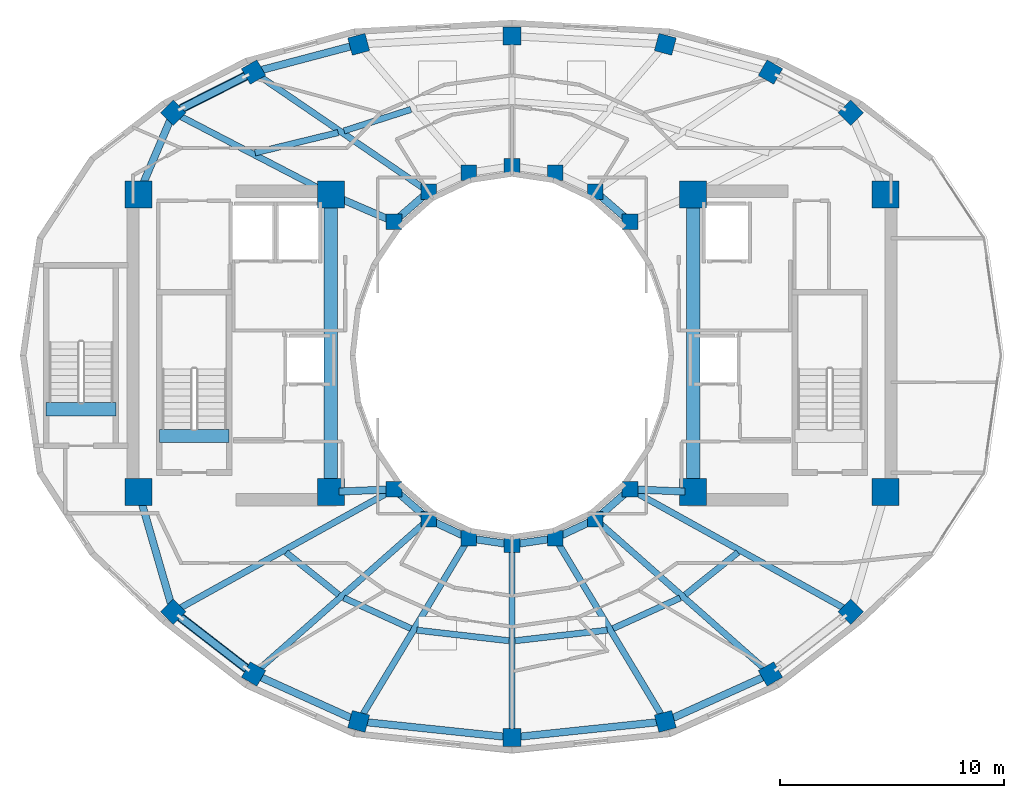
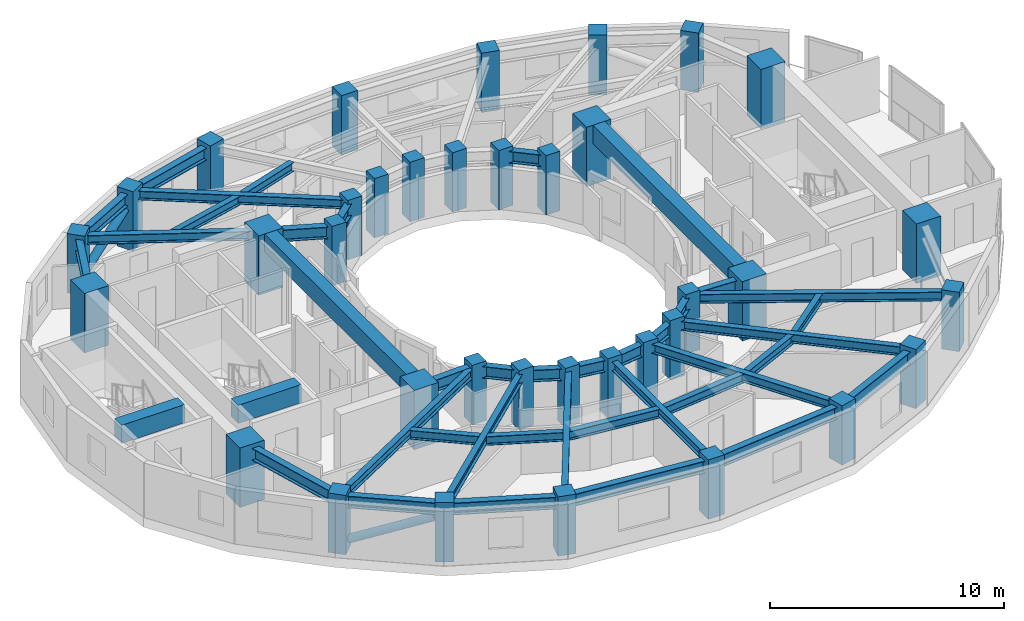
# One storey, part 1 of 12: 41 beams, 36 columns, 2 members.
"""IFC4 building model written with IfcOpenShell, lengths in metres."""

from ifc_helpers import new_model, si_unit, direction, frame, origin, origin_2d, place, context, subcontext, project, spatial, rectangle, hollow_circle, i_section, extrude, material, material_profile, profile_set, type_object, element, save


model = new_model("IFC4")

# Units and contexts
model_context = context("Model", 3, precision=1e-05, world=origin(), true_north=direction((0.0, 1.0)))
body_context = subcontext(model_context, "Body", "Model", "MODEL_VIEW")
ifc_project = project(units=[si_unit("LENGTHUNIT", "METRE"), si_unit("AREAUNIT", "SQUARE_METRE"), si_unit("VOLUMEUNIT", "CUBIC_METRE"), si_unit("PLANEANGLEUNIT", "RADIAN"), si_unit("MASSUNIT", "GRAM", prefix="KILO")], contexts=[model_context])

# Site, building, storey
site_placement = place(None, origin())
site = spatial("IfcSite", under=ifc_project, at=site_placement, CompositionType="ELEMENT")
building_placement = place(site_placement, origin())
building = spatial("IfcBuilding", under=site, at=building_placement, Name="Solvane Sanctuary Tower", CompositionType="ELEMENT")
storey_placement = place(building_placement, frame((0.0, 0.0, 210.89990234375)))
storey = spatial("IfcBuildingStorey", under=building, at=storey_placement, Name="L64", CompositionType="ELEMENT", Elevation=210.89990234375)

# Columns
ifc_material_1 = material(Name="Concrete C50/60", Category="concrete")
ifc_material_profile_1 = material_profile(ifc_material_1, rectangle(XDim=0.699951171875, YDim=0.699951171875, at=origin_2d()), Name="RC700X700")
ifc_profile_set_1 = profile_set([ifc_material_profile_1], Name="Concrete C50/60")
column_type_1 = type_object("IfcColumnType", Name="Column C-RING-Z4 RC700X700", PredefinedType="COLUMN", material=ifc_profile_set_1)
for number, where, z_axis, x_axis, name in (
    (1, (37.27490234375, 28.982177734375, 0.0), (0.0, 0.0, 1.0), (1.0, 0.0, 0.0), "L64 Inner Light-Well Ring Column IC01"),
    (2, (35.72998046875, 30.32666015625, 0.0), (0.0, 0.0, 1.0), (1.0, 0.0, 0.0), "L64 Inner Light-Well Ring Column IC02"),
    (3, (33.930908203125, 31.171630859375, 0.0), (0.0, 0.0, 1.0), (1.0, 0.0, 0.0), "L64 Inner Light-Well Ring Column IC03"),
    (4, (32.0, 31.4599609375, 0.0), (0.0, 0.0, 1.0), (1.0, 0.0, 0.0), "L64 Inner Light-Well Ring Column IC04"),
    (5, (30.069091796875, 31.171630859375, 0.0), (0.0, 0.0, 1.0), (1.0, 0.0, 0.0), "L64 Inner Light-Well Ring Column IC05"),
    (6, (28.27001953125, 30.32666015625, 0.0), (0.0, 0.0, 1.0), (1.0, 0.0, 0.0), "L64 Inner Light-Well Ring Column IC06"),
    (7, (26.72509765625, 28.982177734375, 0.0), (0.0, 0.0, 1.0), (1.0, 0.0, 0.0), "L64 Inner Light-Well Ring Column IC07"),
    (8, (26.72509765625, 17.017822265625, 0.0), (0.0, 0.0, 1.0), (1.0, 0.0, 0.0), "L64 Inner Light-Well Ring Column IC08"),
    (9, (28.27001953125, 15.67333984375, 0.0), (0.0, 0.0, 1.0), (1.0, 0.0, 0.0), "L64 Inner Light-Well Ring Column IC09"),
    (10, (30.069091796875, 14.828369140625, 0.0), (0.0, 0.0, 1.0), (1.0, 0.0, 0.0), "L64 Inner Light-Well Ring Column IC10"),
    (11, (32.0, 14.5400390625, 0.0), (0.0, 0.0, 1.0), (1.0, 0.0, 0.0), "L64 Inner Light-Well Ring Column IC11"),
    (12, (33.930908203125, 14.828369140625, 0.0), (0.0, 0.0, 1.0), (1.0, 0.0, 0.0), "L64 Inner Light-Well Ring Column IC12"),
    (13, (35.72998046875, 15.67333984375, 0.0), (0.0, 0.0, 1.0), (1.0, 0.0, 0.0), "L64 Inner Light-Well Ring Column IC13"),
    (14, (37.27490234375, 17.017822265625, 0.0), (0.0, 0.0, 1.0), (1.0, 0.0, 0.0), "L64 Inner Light-Well Ring Column IC14"),
):
    element("IfcColumn", number, at=place(storey_placement, frame(where, z_axis=z_axis, x_axis=x_axis)), inside=storey, type_object=column_type_1, Name=name, PredefinedType="COLUMN", context=body_context, shape_type="SweptSolid", body=[
        extrude(rectangle(XDim=0.699951171875, YDim=0.699951171875, at=origin_2d()), origin(), (0.0, 0.0, 1.0), 3.10009765625),
    ])
ifc_material_2 = material(Name="Concrete C70/85", Category="concrete")
ifc_material_profile_2 = material_profile(ifc_material_2, rectangle(XDim=1.199951171875, YDim=1.199951171875, at=origin_2d()), Name="RC1200X1200")
ifc_profile_set_2 = profile_set([ifc_material_profile_2], Name="Concrete C70/85")
column_type_2 = type_object("IfcColumnType", Name="Column C-TUBE-Z1 RC1200X1200", PredefinedType="COLUMN", material=ifc_profile_set_2)
for number, where, z_axis, x_axis, name in (
    (15, (15.300048828125, 16.89990234375, 0.0), (0.0, 0.0, 1.0), (1.0, 0.0, 0.0), "L64 Core Corner Column CW1"),
    (16, (23.89990234375, 16.89990234375, 0.0), (0.0, 0.0, 1.0), (1.0, 0.0, 0.0), "L64 Core Corner Column CW2"),
    (17, (23.89990234375, 30.199951171875, 0.0), (0.0, 0.0, 1.0), (1.0, 0.0, 0.0), "L64 Core Corner Column CW3"),
    (18, (15.300048828125, 30.199951171875, 0.0), (0.0, 0.0, 1.0), (1.0, 0.0, 0.0), "L64 Core Corner Column CW4"),
    (19, (40.10009765625, 16.89990234375, 0.0), (0.0, 0.0, 1.0), (1.0, 0.0, 0.0), "L64 Core Corner Column CE1"),
    (20, (48.699951171875, 16.89990234375, 0.0), (0.0, 0.0, 1.0), (1.0, 0.0, 0.0), "L64 Core Corner Column CE2"),
    (21, (48.699951171875, 30.199951171875, 0.0), (0.0, 0.0, 1.0), (1.0, 0.0, 0.0), "L64 Core Corner Column CE3"),
    (22, (40.10009765625, 30.199951171875, 0.0), (0.0, 0.0, 1.0), (1.0, 0.0, 0.0), "L64 Core Corner Column CE4"),
):
    element("IfcColumn", number, at=place(storey_placement, frame(where, z_axis=z_axis, x_axis=x_axis)), inside=storey, type_object=column_type_2, Name=name, PredefinedType="COLUMN", context=body_context, shape_type="SweptSolid", body=[
        extrude(rectangle(XDim=1.199951171875, YDim=1.199951171875, at=origin_2d()), origin(), (0.0, 0.0, 1.0), 3.10009765625),
    ])
ifc_material_profile_3 = material_profile(ifc_material_1, rectangle(XDim=0.800048828125, YDim=0.800048828125, at=origin_2d()), Name="RC800X800")
ifc_profile_set_3 = profile_set([ifc_material_profile_3], Name="Concrete C50/60")
column_type_3 = type_object("IfcColumnType", Name="Column C-TUBE-Z4 RC800X800", PredefinedType="COLUMN", material=ifc_profile_set_3)
for number, where, z_axis, x_axis, name in (
    (23, (47.14501953125, 33.85693359375, 0.0), (0.0, 0.0, 1.0), (0.707106781187, 0.707106781187, 0.0), "L64 Perimeter Tube Column TC01"),
    (24, (43.55517578125, 35.672607421875, 0.0), (0.0, 0.0, 1.0), (0.5, 0.866025403784, 0.0), "L64 Perimeter Tube Column TC02"),
    (25, (38.856201171875, 36.914306640625, 0.0), (0.0, 0.0, 1.0), (0.258819045103, 0.965925826289, 0.0), "L64 Perimeter Tube Column TC03"),
    (26, (32.0, 37.280029296875, 0.0), (0.0, 0.0, 1.0), (0.0, 1.0, 0.0), "L64 Perimeter Tube Column TC04"),
    (27, (25.143798828125, 36.914306640625, 0.0), (0.0, 0.0, 1.0), (-0.258819045103, 0.965925826289, 0.0), "L64 Perimeter Tube Column TC05"),
    (28, (20.44482421875, 35.672607421875, 0.0), (0.0, 0.0, 1.0), (-0.5, 0.866025403784, 0.0), "L64 Perimeter Tube Column TC06"),
    (29, (16.85498046875, 33.85693359375, 0.0), (0.0, 0.0, 1.0), (-0.707106781187, 0.707106781187, 0.0), "L64 Perimeter Tube Column TC07"),
    (30, (16.85498046875, 11.538330078125, 0.0), (0.0, 0.0, 1.0), (-0.707106781187, -0.707106781187, 0.0), "L64 Perimeter Tube Column TC08"),
    (31, (20.44482421875, 8.758544921875, 0.0), (0.0, 0.0, 1.0), (-0.5, -0.866025403784, 0.0), "L64 Perimeter Tube Column TC09"),
    (32, (25.143798828125, 6.6376953125, 0.0), (0.0, 0.0, 1.0), (-0.258819045103, -0.965925826289, 0.0), "L64 Perimeter Tube Column TC10"),
    (33, (32.0, 5.919921875, 0.0), (0.0, 0.0, 1.0), (0.0, -1.0, 0.0), "L64 Perimeter Tube Column TC11"),
    (34, (38.856201171875, 6.6376953125, 0.0), (0.0, 0.0, 1.0), (0.258819045103, -0.965925826289, 0.0), "L64 Perimeter Tube Column TC12"),
    (35, (43.55517578125, 8.758544921875, 0.0), (0.0, 0.0, 1.0), (0.5, -0.866025403784, 0.0), "L64 Perimeter Tube Column TC13"),
    (36, (47.14501953125, 11.538330078125, 0.0), (0.0, 0.0, 1.0), (0.707106781187, -0.707106781187, 0.0), "L64 Perimeter Tube Column TC14"),
):
    element("IfcColumn", number, at=place(storey_placement, frame(where, z_axis=z_axis, x_axis=x_axis)), inside=storey, type_object=column_type_3, Name=name, PredefinedType="COLUMN", context=body_context, shape_type="SweptSolid", body=[
        extrude(rectangle(XDim=0.800048828125, YDim=0.800048828125, at=origin_2d()), origin(), (0.0, 0.0, 1.0), 3.10009765625),
    ])

# Beams
ifc_material_profile_4 = material_profile(ifc_material_2, rectangle(XDim=0.60009765625, YDim=0.949951171875, at=origin_2d()), Name="RC600X950")
ifc_profile_set_4 = profile_set([ifc_material_profile_4], Name="Concrete C70/85")
beam_type_1 = type_object("IfcBeamType", Name="Beam B-COUPLE RC600X950", PredefinedType="LINTEL", material=ifc_profile_set_4)
for number, where, z_axis, x_axis, name in (
    (37, (23.89990234375, 17.35009765625, 2.625), (0.0, 1.0, 0.0), (-1.0, 0.0, 0.0), "L64 West Core Coupling Lintel"),
    (38, (40.10009765625, 17.35009765625, 2.625), (0.0, 1.0, 0.0), (-1.0, 0.0, 0.0), "L64 East Core Coupling Lintel"),
):
    element("IfcBeam", number, at=place(storey_placement, frame(where, z_axis=z_axis, x_axis=x_axis)), inside=storey, type_object=beam_type_1, Name=name, PredefinedType="LINTEL", context=body_context, shape_type="SweptSolid", body=[
        extrude(rectangle(XDim=0.60009765625, YDim=0.949951171875, at=origin_2d()), origin(), (0.0, 0.0, 1.0), 12.39990234375),
    ])
for number, where, z_axis, x_axis, name in (
    (39, (16.22998046875, 19.399169921875, 2.625), (1.0, 0.0, 0.0), (0.0, 1.0, 0.0), "L64 ST-1 Stair Floor Landing Trimmer"),
    (40, (11.169921875, 20.59912109375, 2.625), (1.0, 0.0, 0.0), (0.0, 1.0, 0.0), "L64 ST-3 Stair Floor Landing Trimmer"),
):
    element("IfcBeam", number, at=place(storey_placement, frame(where, z_axis=z_axis, x_axis=x_axis)), inside=storey, type_object=beam_type_1, Name=name, PredefinedType="LINTEL", context=body_context, shape_type="SweptSolid", body=[
        extrude(rectangle(XDim=0.60009765625, YDim=0.949951171875, at=origin_2d()), origin(), (0.0, 0.0, 1.0), 3.1201171875),
    ])
ifc_material_3 = material(Name="Steel ASTM A992 Grade 50", Category="steel")
ifc_material_profile_5 = material_profile(ifc_material_3, i_section(OverallWidth=0.282958984375, OverallDepth=0.471923828125, WebThickness=0.013671875, FlangeThickness=0.022216796875, FilletRadius=0.013916015625, at=origin_2d()), Name="W18X97")
ifc_profile_set_5 = profile_set([ifc_material_profile_5], Name="Steel ASTM A992 Grade 50")
beam_type_2 = type_object("IfcBeamType", Name="Beam B-RAD-Z4 W18X97", PredefinedType="JOIST", material=ifc_profile_set_5)
beam_1_placement = place(storey_placement, frame((28.038818359375, 30.484619140625, 2.64208984375), z_axis=(-0.825707980649, 0.564097802418, 0.0), x_axis=(-0.564097802418, -0.825707980649, 0.0)))
element("IfcBeam", 41, at=beam_1_placement, inside=storey, type_object=beam_type_2, Name="L64 Radial Composite Floor Beam 06", PredefinedType="JOIST", context=body_context, shape_type="SweptSolid", body=[
    extrude(i_section(OverallWidth=0.282958984375, OverallDepth=0.471923828125, WebThickness=0.013671875, FlangeThickness=0.022216796875, FilletRadius=0.013916015625, at=origin_2d()), origin(), (0.0, 0.0, 1.0), 8.9169921875),
])
beam_2_placement = place(storey_placement, frame((23.58056640625, 30.365966796875, 2.64208984375), z_axis=(-0.887553429209, 0.460704797348, 0.0), x_axis=(-0.460704797348, -0.887553429209, 0.0)))
element("IfcBeam", 42, at=beam_2_placement, inside=storey, type_object=beam_type_2, Name="L64 Radial Composite Floor Beam 07", PredefinedType="JOIST", context=body_context, shape_type="SweptSolid", body=[
    extrude(i_section(OverallWidth=0.282958984375, OverallDepth=0.471923828125, WebThickness=0.013671875, FlangeThickness=0.022216796875, FilletRadius=0.013916015625, at=origin_2d()), origin(), (0.0, 0.0, 1.0), 7.297607421875),
])
beam_3_placement = place(storey_placement, frame((26.480224609375, 16.882080078125, 2.64208984375), z_axis=(-0.874297849051, -0.485389813599, 0.0), x_axis=(0.485389813599, -0.874297849051, 0.0)))
element("IfcBeam", 43, at=beam_3_placement, inside=storey, type_object=beam_type_2, Name="L64 Radial Composite Floor Beam 08", PredefinedType="JOIST", context=body_context, shape_type="SweptSolid", body=[
    extrude(i_section(OverallWidth=0.282958984375, OverallDepth=0.471923828125, WebThickness=0.013671875, FlangeThickness=0.022216796875, FilletRadius=0.013916015625, at=origin_2d()), origin(), (0.0, 0.0, 1.0), 10.72900390625),
])
beam_4_placement = place(storey_placement, frame((28.060302734375, 15.488037109375, 2.64208984375), z_axis=(-0.749352461353, -0.662171343886, 0.0), x_axis=(0.662171343886, -0.749352461353, 0.0)))
element("IfcBeam", 44, at=beam_4_placement, inside=storey, type_object=beam_type_2, Name="L64 Radial Composite Floor Beam 09", PredefinedType="JOIST", context=body_context, shape_type="SweptSolid", body=[
    extrude(i_section(OverallWidth=0.282958984375, OverallDepth=0.471923828125, WebThickness=0.013671875, FlangeThickness=0.022216796875, FilletRadius=0.013916015625, at=origin_2d()), origin(), (0.0, 0.0, 1.0), 9.882568359375),
])
beam_5_placement = place(storey_placement, frame((29.9248046875, 14.58837890625, 2.64208984375), z_axis=(-0.515337473432, -0.85698733274, 0.0), x_axis=(0.85698733274, -0.515337473432, 0.0)))
element("IfcBeam", 45, at=beam_5_placement, inside=storey, type_object=beam_type_2, Name="L64 Radial Composite Floor Beam 10", PredefinedType="JOIST", context=body_context, shape_type="SweptSolid", body=[
    extrude(i_section(OverallWidth=0.282958984375, OverallDepth=0.471923828125, WebThickness=0.013671875, FlangeThickness=0.022216796875, FilletRadius=0.013916015625, at=origin_2d()), origin(), (0.0, 0.0, 1.0), 8.99755859375),
])
beam_6_placement = place(storey_placement, frame((32.0, 14.260009765625, 2.64208984375), z_axis=(0.0, -1.0, 0.0), x_axis=(1.0, 0.0, 0.0)))
element("IfcBeam", 46, at=beam_6_placement, inside=storey, type_object=beam_type_2, Name="L64 Radial Composite Floor Beam 11", PredefinedType="JOIST", context=body_context, shape_type="SweptSolid", body=[
    extrude(i_section(OverallWidth=0.282958984375, OverallDepth=0.471923828125, WebThickness=0.013671875, FlangeThickness=0.022216796875, FilletRadius=0.013916015625, at=origin_2d()), origin(), (0.0, 0.0, 1.0), 8.06005859375),
])
beam_7_placement = place(storey_placement, frame((34.0751953125, 14.58837890625, 2.64208984375), z_axis=(0.515337473432, -0.85698733274, 0.0), x_axis=(0.85698733274, 0.515337473432, 0.0)))
element("IfcBeam", 47, at=beam_7_placement, inside=storey, type_object=beam_type_2, Name="L64 Radial Composite Floor Beam 12", PredefinedType="JOIST", context=body_context, shape_type="SweptSolid", body=[
    extrude(i_section(OverallWidth=0.282958984375, OverallDepth=0.471923828125, WebThickness=0.013671875, FlangeThickness=0.022216796875, FilletRadius=0.013916015625, at=origin_2d()), origin(), (0.0, 0.0, 1.0), 8.99755859375),
])
beam_8_placement = place(storey_placement, frame((35.939697265625, 15.488037109375, 2.64208984375), z_axis=(0.749352461353, -0.662171343886, 0.0), x_axis=(0.662171343886, 0.749352461353, 0.0)))
element("IfcBeam", 48, at=beam_8_placement, inside=storey, type_object=beam_type_2, Name="L64 Radial Composite Floor Beam 13", PredefinedType="JOIST", context=body_context, shape_type="SweptSolid", body=[
    extrude(i_section(OverallWidth=0.282958984375, OverallDepth=0.471923828125, WebThickness=0.013671875, FlangeThickness=0.022216796875, FilletRadius=0.013916015625, at=origin_2d()), origin(), (0.0, 0.0, 1.0), 9.882568359375),
])
beam_9_placement = place(storey_placement, frame((37.519775390625, 16.882080078125, 2.64208984375), z_axis=(0.874297849051, -0.485389813599, 0.0), x_axis=(0.485389813599, 0.874297849051, 0.0)))
element("IfcBeam", 49, at=beam_9_placement, inside=storey, type_object=beam_type_2, Name="L64 Radial Composite Floor Beam 14", PredefinedType="JOIST", context=body_context, shape_type="SweptSolid", body=[
    extrude(i_section(OverallWidth=0.282958984375, OverallDepth=0.471923828125, WebThickness=0.013671875, FlangeThickness=0.022216796875, FilletRadius=0.013916015625, at=origin_2d()), origin(), (0.0, 0.0, 1.0), 10.72900390625),
])
ifc_material_profile_6 = material_profile(ifc_material_3, i_section(OverallWidth=0.324951171875, OverallDepth=0.615966796875, WebThickness=0.013916015625, FlangeThickness=0.021484375, FilletRadius=0.01611328125, at=origin_2d()), Name="W24X117")
ifc_profile_set_6 = profile_set([ifc_material_profile_6], Name="Steel ASTM A992 Grade 50")
beam_type_3 = type_object("IfcBeamType", Name="Beam B-RING-IN2 W24X117", PredefinedType="BEAM", material=ifc_profile_set_6)
beam_10_placement = place(storey_placement, frame((24.230712890625, 30.0576171875, 2.570068359375), z_axis=(0.918283854026, -0.395922673554, 0.0), x_axis=(0.395922673554, 0.918283854026, 0.0)))
element("IfcBeam", 50, at=beam_10_placement, inside=storey, type_object=beam_type_3, Name="L64 Inner Light-Well Ring Beam CW3-IC07", PredefinedType="BEAM", context=body_context, shape_type="SweptSolid", body=[
    extrude(i_section(OverallWidth=0.324951171875, OverallDepth=0.615966796875, WebThickness=0.013916015625, FlangeThickness=0.021484375, FilletRadius=0.01611328125, at=origin_2d()), origin(), (0.0, 0.0, 1.0), 2.396240234375),
])
for number, where, z_axis, x_axis, name in (
    (51, (26.96630859375, 29.192138671875, 2.570068359375), (0.754388985763, 0.656427648839, 0.0), (-0.656427648839, 0.754388985763, 0.0), "L64 Inner Light-Well Ring Beam IC07-IC06"),
    (52, (35.971435546875, 30.116455078125, 2.570068359375), (0.754388985763, -0.656427648839, 0.0), (0.656427648839, 0.754388985763, 0.0), "L64 Inner Light-Well Ring Beam IC02-IC01"),
):
    element("IfcBeam", number, at=place(storey_placement, frame(where, z_axis=z_axis, x_axis=x_axis)), inside=storey, type_object=beam_type_3, Name=name, PredefinedType="BEAM", context=body_context, shape_type="SweptSolid", body=[
        extrude(i_section(OverallWidth=0.324951171875, OverallDepth=0.615966796875, WebThickness=0.013916015625, FlangeThickness=0.021484375, FilletRadius=0.01611328125, at=origin_2d()), origin(), (0.0, 0.0, 1.0), 1.408203125),
    ])
beam_11_placement = place(storey_placement, frame((24.259765625, 16.9150390625, 2.570068359375), z_axis=(0.999129127803, 0.041725124022, 0.0), x_axis=(-0.041725124022, 0.999129127803, 0.0)))
element("IfcBeam", 53, at=beam_11_placement, inside=storey, type_object=beam_type_3, Name="L64 Inner Light-Well Ring Beam CW2-IC08", PredefinedType="BEAM", context=body_context, shape_type="SweptSolid", body=[
    extrude(i_section(OverallWidth=0.324951171875, OverallDepth=0.615966796875, WebThickness=0.013916015625, FlangeThickness=0.021484375, FilletRadius=0.01611328125, at=origin_2d()), origin(), (0.0, 0.0, 1.0), 2.1474609375),
])
beam_12_placement = place(storey_placement, frame((26.96630859375, 16.807861328125, 2.570068359375), z_axis=(0.754388985763, -0.656427648839, 0.0), x_axis=(0.656427648839, 0.754388985763, 0.0)))
element("IfcBeam", 54, at=beam_12_placement, inside=storey, type_object=beam_type_3, Name="L64 Inner Light-Well Ring Beam IC08-IC09", PredefinedType="BEAM", context=body_context, shape_type="SweptSolid", body=[
    extrude(i_section(OverallWidth=0.324951171875, OverallDepth=0.615966796875, WebThickness=0.013916015625, FlangeThickness=0.021484375, FilletRadius=0.01611328125, at=origin_2d()), origin(), (0.0, 0.0, 1.0), 1.408203125),
])
beam_13_placement = place(storey_placement, frame((28.5595703125, 15.537353515625, 2.570068359375), z_axis=(0.905134542189, -0.425125229241, 0.0), x_axis=(0.425125229241, 0.905134542189, 0.0)))
element("IfcBeam", 55, at=beam_13_placement, inside=storey, type_object=beam_type_3, Name="L64 Inner Light-Well Ring Beam IC09-IC10", PredefinedType="BEAM", context=body_context, shape_type="SweptSolid", body=[
    extrude(i_section(OverallWidth=0.324951171875, OverallDepth=0.615966796875, WebThickness=0.013916015625, FlangeThickness=0.021484375, FilletRadius=0.01611328125, at=origin_2d()), origin(), (0.0, 0.0, 1.0), 1.347900390625),
])
for number, where, z_axis, x_axis, name in (
    (56, (30.3857421875, 14.781005859375, 2.570068359375), (0.989056121481, -0.147539786368, 0.0), (0.147539786368, 0.989056121481, 0.0), "L64 Inner Light-Well Ring Beam IC10-IC11"),
    (57, (32.31640625, 14.58740234375, 2.570068359375), (0.989056121481, 0.147539786368, 0.0), (-0.147539786368, 0.989056121481, 0.0), "L64 Inner Light-Well Ring Beam IC11-IC12"),
):
    element("IfcBeam", number, at=place(storey_placement, frame(where, z_axis=z_axis, x_axis=x_axis)), inside=storey, type_object=beam_type_3, Name=name, PredefinedType="BEAM", context=body_context, shape_type="SweptSolid", body=[
        extrude(i_section(OverallWidth=0.324951171875, OverallDepth=0.615966796875, WebThickness=0.013916015625, FlangeThickness=0.021484375, FilletRadius=0.01611328125, at=origin_2d()), origin(), (0.0, 0.0, 1.0), 1.312255859375),
    ])
beam_14_placement = place(storey_placement, frame((34.220458984375, 14.96435546875, 2.570068359375), z_axis=(0.905134542189, 0.425125229241, 0.0), x_axis=(-0.425125229241, 0.905134542189, 0.0)))
element("IfcBeam", 58, at=beam_14_placement, inside=storey, type_object=beam_type_3, Name="L64 Inner Light-Well Ring Beam IC12-IC13", PredefinedType="BEAM", context=body_context, shape_type="SweptSolid", body=[
    extrude(i_section(OverallWidth=0.324951171875, OverallDepth=0.615966796875, WebThickness=0.013916015625, FlangeThickness=0.021484375, FilletRadius=0.01611328125, at=origin_2d()), origin(), (0.0, 0.0, 1.0), 1.347900390625),
])
beam_15_placement = place(storey_placement, frame((35.971435546875, 15.883544921875, 2.570068359375), z_axis=(0.754388985763, 0.656427648839, 0.0), x_axis=(-0.656427648839, 0.754388985763, 0.0)))
element("IfcBeam", 59, at=beam_15_placement, inside=storey, type_object=beam_type_3, Name="L64 Inner Light-Well Ring Beam IC13-IC14", PredefinedType="BEAM", context=body_context, shape_type="SweptSolid", body=[
    extrude(i_section(OverallWidth=0.324951171875, OverallDepth=0.615966796875, WebThickness=0.013916015625, FlangeThickness=0.021484375, FilletRadius=0.01611328125, at=origin_2d()), origin(), (0.0, 0.0, 1.0), 1.408203125),
])
beam_16_placement = place(storey_placement, frame((37.5947265625, 17.004638671875, 2.570068359375), z_axis=(0.999129127803, -0.041725124022, 0.0), x_axis=(0.041725124022, 0.999129127803, 0.0)))
element("IfcBeam", 60, at=beam_16_placement, inside=storey, type_object=beam_type_3, Name="L64 Inner Light-Well Ring Beam IC14-CE1", PredefinedType="BEAM", context=body_context, shape_type="SweptSolid", body=[
    extrude(i_section(OverallWidth=0.324951171875, OverallDepth=0.615966796875, WebThickness=0.013916015625, FlangeThickness=0.021484375, FilletRadius=0.01611328125, at=origin_2d()), origin(), (0.0, 0.0, 1.0), 2.1474609375),
])
ifc_material_profile_7 = material_profile(ifc_material_3, i_section(OverallWidth=0.280029296875, OverallDepth=0.462890625, WebThickness=0.0107421875, FlangeThickness=0.017333984375, FilletRadius=0.013916015625, at=origin_2d()), Name="W18X76")
ifc_profile_set_7 = profile_set([ifc_material_profile_7], Name="Steel ASTM A992 Grade 50")
beam_type_4 = type_object("IfcBeamType", Name="Beam B-SEC-JOIST W18X76", PredefinedType="JOIST", material=ifc_profile_set_7)
beam_17_placement = place(storey_placement, frame((20.510009765625, 32.060791015625, 2.646484375), z_axis=(0.971494163165, 0.237063474489, 0.0), x_axis=(-0.237063474489, 0.971494163165, 0.0)))
element("IfcBeam", 61, at=beam_17_placement, inside=storey, type_object=beam_type_4, Name="L64 Secondary Circumferential Joist 07-06", PredefinedType="JOIST", context=body_context, shape_type="SweptSolid", body=[
    extrude(i_section(OverallWidth=0.280029296875, OverallDepth=0.462890625, WebThickness=0.0107421875, FlangeThickness=0.017333984375, FilletRadius=0.013916015625, at=origin_2d()), origin(), (0.0, 0.0, 1.0), 3.82373046875),
])
beam_18_placement = place(storey_placement, frame((24.487548828125, 33.04150390625, 2.646484375), z_axis=(0.952124803756, 0.305709597612, 0.0), x_axis=(-0.305709597612, 0.952124803756, 0.0)))
element("IfcBeam", 62, at=beam_18_placement, inside=storey, type_object=beam_type_4, Name="L64 Secondary Circumferential Joist 06-05", PredefinedType="JOIST", context=body_context, shape_type="SweptSolid", body=[
    extrude(i_section(OverallWidth=0.280029296875, OverallDepth=0.462890625, WebThickness=0.0107421875, FlangeThickness=0.017333984375, FilletRadius=0.013916015625, at=origin_2d()), origin(), (0.0, 0.0, 1.0), 3.139404296875),
])
beam_19_placement = place(storey_placement, frame((21.896484375, 14.192626953125, 2.646484375), z_axis=(0.779684411268, -0.626172674928, 0.0), x_axis=(0.626172674928, 0.779684411268, 0.0)))
element("IfcBeam", 63, at=beam_19_placement, inside=storey, type_object=beam_type_4, Name="L64 Secondary Circumferential Joist 08-09", PredefinedType="JOIST", context=body_context, shape_type="SweptSolid", body=[
    extrude(i_section(OverallWidth=0.280029296875, OverallDepth=0.462890625, WebThickness=0.0107421875, FlangeThickness=0.017333984375, FilletRadius=0.013916015625, at=origin_2d()), origin(), (0.0, 0.0, 1.0), 3.02001953125),
])
beam_20_placement = place(storey_placement, frame((24.481689453125, 12.1591796875, 2.646484375), z_axis=(0.909746959611, -0.415163184156, 0.0), x_axis=(0.415163184156, 0.909746959611, 0.0)))
element("IfcBeam", 64, at=beam_20_placement, inside=storey, type_object=beam_type_4, Name="L64 Secondary Circumferential Joist 09-10", PredefinedType="JOIST", context=body_context, shape_type="SweptSolid", body=[
    extrude(i_section(OverallWidth=0.280029296875, OverallDepth=0.462890625, WebThickness=0.0107421875, FlangeThickness=0.017333984375, FilletRadius=0.013916015625, at=origin_2d()), origin(), (0.0, 0.0, 1.0), 3.29833984375),
])
for number, where, z_axis, x_axis, name in (
    (65, (27.7421875, 10.717529296875, 2.646484375), (0.993510844231, -0.113737427415, 0.0), (0.113737427415, 0.993510844231, 0.0), "L64 Secondary Circumferential Joist 10-11"),
    (66, (32.135498046875, 10.24560546875, 2.646484375), (0.993510844231, 0.113737427415, 0.0), (-0.113737427415, 0.993510844231, 0.0), "L64 Secondary Circumferential Joist 11-12"),
):
    element("IfcBeam", number, at=place(storey_placement, frame(where, z_axis=z_axis, x_axis=x_axis)), inside=storey, type_object=beam_type_4, Name=name, PredefinedType="JOIST", context=body_context, shape_type="SweptSolid", body=[
        extrude(i_section(OverallWidth=0.280029296875, OverallDepth=0.462890625, WebThickness=0.0107421875, FlangeThickness=0.017333984375, FilletRadius=0.013916015625, at=origin_2d()), origin(), (0.0, 0.0, 1.0), 4.149169921875),
    ])
beam_21_placement = place(storey_placement, frame((36.517578125, 10.789794921875, 2.646484375), z_axis=(0.909746959611, 0.415163184156, 0.0), x_axis=(-0.415163184156, 0.909746959611, 0.0)))
element("IfcBeam", 67, at=beam_21_placement, inside=storey, type_object=beam_type_4, Name="L64 Secondary Circumferential Joist 12-13", PredefinedType="JOIST", context=body_context, shape_type="SweptSolid", body=[
    extrude(i_section(OverallWidth=0.280029296875, OverallDepth=0.462890625, WebThickness=0.0107421875, FlangeThickness=0.017333984375, FilletRadius=0.013916015625, at=origin_2d()), origin(), (0.0, 0.0, 1.0), 3.29833984375),
])
beam_22_placement = place(storey_placement, frame((39.748779296875, 12.301513671875, 2.646484375), z_axis=(0.779684411268, 0.626172674928, 0.0), x_axis=(-0.626172674928, 0.779684411268, 0.0)))
element("IfcBeam", 68, at=beam_22_placement, inside=storey, type_object=beam_type_4, Name="L64 Secondary Circumferential Joist 13-14", PredefinedType="JOIST", context=body_context, shape_type="SweptSolid", body=[
    extrude(i_section(OverallWidth=0.280029296875, OverallDepth=0.462890625, WebThickness=0.0107421875, FlangeThickness=0.017333984375, FilletRadius=0.013916015625, at=origin_2d()), origin(), (0.0, 0.0, 1.0), 3.02001953125),
])
ifc_material_profile_8 = material_profile(ifc_material_3, i_section(OverallWidth=0.327880859375, OverallDepth=0.6279296875, WebThickness=0.0166015625, FlangeThickness=0.027587890625, FilletRadius=0.01611328125, at=origin_2d()), Name="W24X146")
ifc_profile_set_8 = profile_set([ifc_material_profile_8], Name="Steel ASTM A992 Grade 50")
beam_type_5 = type_object("IfcBeamType", Name="Beam B-SPAND-Z3 W24X146", PredefinedType="SPANDREL", material=ifc_profile_set_8)
beam_23_placement = place(storey_placement, frame((15.40966796875, 30.457763671875, 2.564208984375), z_axis=(0.391328410333, 0.920251093597, 0.0), x_axis=(-0.920251093597, 0.391328410333, 0.0)))
element("IfcBeam", 69, at=beam_23_placement, inside=storey, type_object=beam_type_5, Name="L64 Perimeter Spandrel Beam CW4-TC07", PredefinedType="SPANDREL", context=body_context, shape_type="SweptSolid", body=[
    extrude(i_section(OverallWidth=0.327880859375, OverallDepth=0.6279296875, WebThickness=0.0166015625, FlangeThickness=0.027587890625, FilletRadius=0.01611328125, at=origin_2d()), origin(), (0.0, 0.0, 1.0), 3.413818359375),
])
beam_24_placement = place(storey_placement, frame((17.10498046875, 33.9833984375, 2.564208984375), z_axis=(0.892344822899, 0.451354314308, 0.0), x_axis=(-0.451354314308, 0.892344822899, 0.0)))
element("IfcBeam", 70, at=beam_24_placement, inside=storey, type_object=beam_type_5, Name="L64 Perimeter Spandrel Beam TC07-TC06", PredefinedType="SPANDREL", context=body_context, shape_type="SweptSolid", body=[
    extrude(i_section(OverallWidth=0.327880859375, OverallDepth=0.6279296875, WebThickness=0.0166015625, FlangeThickness=0.027587890625, FilletRadius=0.01611328125, at=origin_2d()), origin(), (0.0, 0.0, 1.0), 3.462890625),
])
beam_25_placement = place(storey_placement, frame((20.715576171875, 35.744140625, 2.564208984375), z_axis=(0.966816659466, 0.255471225343, 0.0), x_axis=(-0.255471225343, 0.966816659466, 0.0)))
element("IfcBeam", 71, at=beam_25_placement, inside=storey, type_object=beam_type_5, Name="L64 Perimeter Spandrel Beam TC06-TC05", PredefinedType="SPANDREL", context=body_context, shape_type="SweptSolid", body=[
    extrude(i_section(OverallWidth=0.327880859375, OverallDepth=0.6279296875, WebThickness=0.0166015625, FlangeThickness=0.027587890625, FilletRadius=0.01611328125, at=origin_2d()), origin(), (0.0, 0.0, 1.0), 4.300537109375),
])
beam_26_placement = place(storey_placement, frame((15.3779296875, 16.631103515625, 2.564208984375), z_axis=(0.278564353947, -0.960417565807, 0.0), x_axis=(0.960417565807, 0.278564353947, 0.0)))
element("IfcBeam", 72, at=beam_26_placement, inside=storey, type_object=beam_type_5, Name="L64 Perimeter Spandrel Beam CW1-TC08", PredefinedType="SPANDREL", context=body_context, shape_type="SweptSolid", body=[
    extrude(i_section(OverallWidth=0.327880859375, OverallDepth=0.6279296875, WebThickness=0.0166015625, FlangeThickness=0.027587890625, FilletRadius=0.01611328125, at=origin_2d()), origin(), (0.0, 0.0, 1.0), 5.022705078125),
])
beam_27_placement = place(storey_placement, frame((17.076416015625, 11.366943359375, 2.564208984375), z_axis=(0.79064516309, -0.612274632891, 0.0), x_axis=(0.612274632891, 0.79064516309, 0.0)))
element("IfcBeam", 73, at=beam_27_placement, inside=storey, type_object=beam_type_5, Name="L64 Perimeter Spandrel Beam TC08-TC09", PredefinedType="SPANDREL", context=body_context, shape_type="SweptSolid", body=[
    extrude(i_section(OverallWidth=0.327880859375, OverallDepth=0.6279296875, WebThickness=0.0166015625, FlangeThickness=0.027587890625, FilletRadius=0.01611328125, at=origin_2d()), origin(), (0.0, 0.0, 1.0), 3.980224609375),
])
beam_28_placement = place(storey_placement, frame((20.7001953125, 8.643310546875, 2.564208984375), z_axis=(0.911467646952, -0.411371764418, 0.0), x_axis=(0.411371764418, 0.911467646952, 0.0)))
element("IfcBeam", 74, at=beam_28_placement, inside=storey, type_object=beam_type_5, Name="L64 Perimeter Spandrel Beam TC09-TC10", PredefinedType="SPANDREL", context=body_context, shape_type="SweptSolid", body=[
    extrude(i_section(OverallWidth=0.327880859375, OverallDepth=0.6279296875, WebThickness=0.0166015625, FlangeThickness=0.027587890625, FilletRadius=0.01611328125, at=origin_2d()), origin(), (0.0, 0.0, 1.0), 4.59521484375),
])
for number, where, z_axis, x_axis, name in (
    (75, (25.42236328125, 6.608642578125, 2.564208984375), (0.994565065885, -0.10411690411, 0.0), (0.10411690411, 0.994565065885, 0.0), "L64 Perimeter Spandrel Beam TC10-TC11"),
    (76, (32.278564453125, 5.94921875, 2.564208984375), (0.994565065885, 0.10411690411, 0.0), (-0.10411690411, 0.994565065885, 0.0), "L64 Perimeter Spandrel Beam TC11-TC12"),
):
    element("IfcBeam", number, at=place(storey_placement, frame(where, z_axis=z_axis, x_axis=x_axis)), inside=storey, type_object=beam_type_5, Name=name, PredefinedType="SPANDREL", context=body_context, shape_type="SweptSolid", body=[
        extrude(i_section(OverallWidth=0.327880859375, OverallDepth=0.6279296875, WebThickness=0.0166015625, FlangeThickness=0.027587890625, FilletRadius=0.01611328125, at=origin_2d()), origin(), (0.0, 0.0, 1.0), 6.33349609375),
    ])
beam_29_placement = place(storey_placement, frame((39.111328125, 6.7529296875, 2.564208984375), z_axis=(0.911467646952, 0.411371764418, 0.0), x_axis=(-0.411371764418, 0.911467646952, 0.0)))
element("IfcBeam", 77, at=beam_29_placement, inside=storey, type_object=beam_type_5, Name="L64 Perimeter Spandrel Beam TC12-TC13", PredefinedType="SPANDREL", context=body_context, shape_type="SweptSolid", body=[
    extrude(i_section(OverallWidth=0.327880859375, OverallDepth=0.6279296875, WebThickness=0.0166015625, FlangeThickness=0.027587890625, FilletRadius=0.01611328125, at=origin_2d()), origin(), (0.0, 0.0, 1.0), 4.59521484375),
])

# Members
ifc_material_profile_9 = material_profile(ifc_material_3, hollow_circle(Radius=0.202880859375, WallThickness=0.012451171875, at=origin_2d()), Name="CHS406X12.5")
ifc_profile_set_9 = profile_set([ifc_material_profile_9], Name="Steel ASTM A992 Grade 50")
member_type = type_object("IfcMemberType", Name="Member M-TUBE-Z3 CHS406X12.5", PredefinedType="BRACE", material=ifc_profile_set_9)
member_1_placement = place(storey_placement, frame((17.239013671875, 34.051025390625, 0.580078125), z_axis=(0.809168494131, 0.409313786141, 0.4215549461), x_axis=(-0.451381225256, 0.892331210642, 0.0)))
element("IfcMember", 78, at=member_1_placement, inside=storey, type_object=member_type, Name="L64 Perimeter Braced-Tube Diagonal NW", PredefinedType="BRACE", context=body_context, shape_type="SweptSolid", body=[
    extrude(hollow_circle(Radius=0.202880859375, WallThickness=0.012451171875, at=origin_2d()), origin(), (0.0, 0.0, 1.0), 3.51025390625),
])
member_2_placement = place(storey_placement, frame((17.18115234375, 11.285888671875, 0.550048828125), z_axis=(0.731090089768, -0.566107162853, 0.380827993731), x_axis=(0.612242116954, 0.790670342322, 0.0)))
element("IfcMember", 79, at=member_2_placement, inside=storey, type_object=member_type, Name="L64 Perimeter Braced-Tube Diagonal SW", PredefinedType="BRACE", context=body_context, shape_type="SweptSolid", body=[
    extrude(hollow_circle(Radius=0.202880859375, WallThickness=0.012451171875, at=origin_2d()), origin(), (0.0, 0.0, 1.0), 4.017578125),
])

save(model, "model.ifc")
